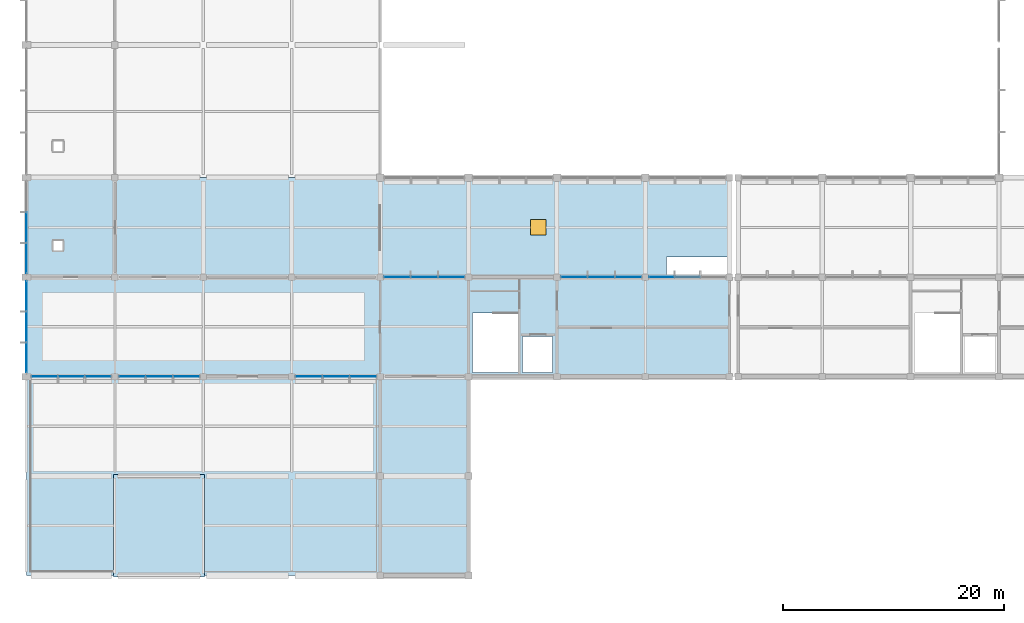
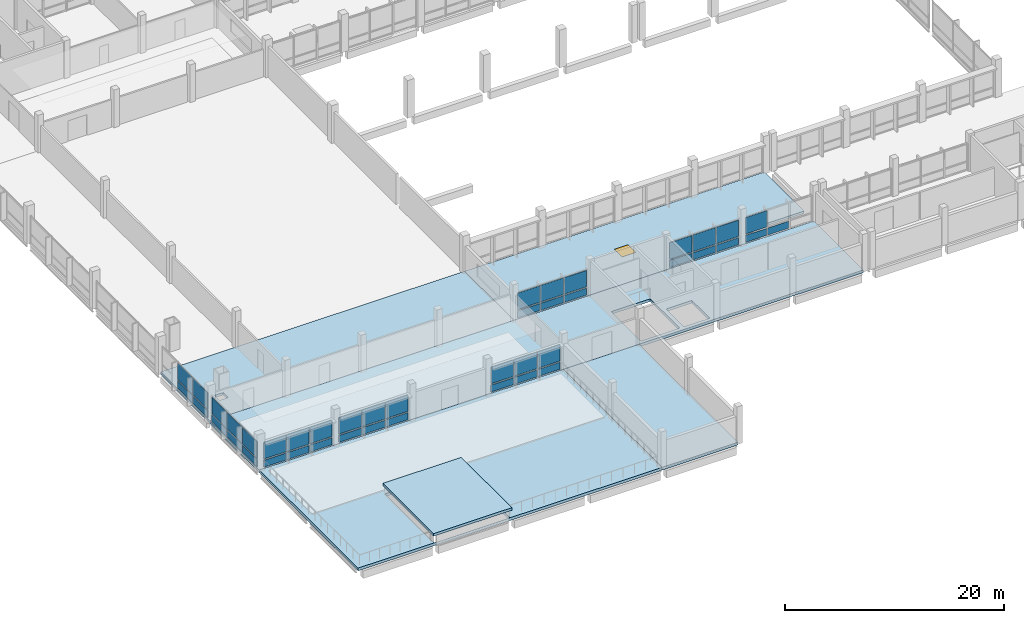
# One storey, part 43 of 70: 43 plates, 6 slabs, 1 window, 1 opening, 8 elements without a shape of their own.
"""IFC4 building model written with IfcOpenShell, lengths in metres."""

from ifc_helpers import new_model, si_unit, direction, frame, origin, origin_2d, place, context, subcontext, project, spatial, polyline, rectangle, outline, extrude, material, layer, layer_set, type_object, element, fill, aggregate, save


model = new_model("IFC4")

# Units and contexts
model_context = context("Model", 3, precision=1e-05, world=origin(), true_north=direction((0.0, 1.0)))
body_context = subcontext(model_context, "Body", "Model", "MODEL_VIEW")
ifc_project = project(units=[si_unit("LENGTHUNIT", "METRE"), si_unit("AREAUNIT", "SQUARE_METRE"), si_unit("VOLUMEUNIT", "CUBIC_METRE"), si_unit("PLANEANGLEUNIT", "RADIAN"), si_unit("MASSUNIT", "GRAM", prefix="KILO"), si_unit("THERMODYNAMICTEMPERATUREUNIT", "KELVIN"), si_unit("POWERUNIT", "WATT")], contexts=[model_context])

# Site, building, storey
site_placement = place(None, origin())
site = spatial("IfcSite", under=ifc_project, at=site_placement, CompositionType="ELEMENT")
building_placement = place(site_placement, origin())
building = spatial("IfcBuilding", under=site, at=building_placement, Name="Kronsvod Quay Wholesale Market", CompositionType="ELEMENT")
storey_placement = place(building_placement, frame((0.0, 0.0, 9.0)))
storey = spatial("IfcBuildingStorey", under=building, at=storey_placement, Name="L02", CompositionType="ELEMENT", Elevation=9.0)

# Curtain wall, plates
ifc_material_1 = material(Name="Thermally broken aluminium and triple low-E glazing", Category="aluminium")
curtain_wall_type_1 = type_object("IfcCurtainWallType", Name="CW_Harbour76x33", PredefinedType="NOTDEFINED", material=ifc_material_1)
curtain_wall_1_placement = place(storey_placement, origin())
curtain_wall_1 = element("IfcCurtainWall", 1, at=curtain_wall_1_placement, inside=storey, type_object=curtain_wall_type_1, Name="CWGX-L02-560-450", PredefinedType="NOTDEFINED")
ifc_material_2 = material(Name="Insulated aluminium spandrel panel", Category="aluminium")
ifc_layer_1 = layer(ifc_material_2, 0.048095703125)
ifc_layer_set_1 = layer_set([ifc_layer_1], Name="Insulated aluminium spandrel panel")
plate_type_1 = type_object("IfcPlateType", Name="CWPanel_SP2224x775", PredefinedType="CURTAIN_PANEL", material=ifc_layer_set_1)
plate_1_placement = place(storey_placement, frame((57.482177734375, 45.0, 0.150146484375), z_axis=(0.0, 0.0, 1.0), x_axis=(-1.0, 0.0, 0.0)))
plate_1 = element("IfcPlate", 2, at=plate_1_placement, type_object=plate_type_1, Name="CWGX-L02-560-450-PS3", PredefinedType="CURTAIN_PANEL", context=body_context, shape_type="SweptSolid", body=[
    extrude(rectangle(XDim=2.22412109375, YDim=0.048095703125, at=origin_2d()), origin(), (0.0, 0.0, 1.0), 0.77490234375),
])
ifc_material_3 = material(Name="Insulated aluminium spandrel panel", Category="aluminium")
ifc_layer_2 = layer(ifc_material_3, 0.048095703125)
ifc_layer_set_2 = layer_set([ifc_layer_2], Name="Insulated aluminium spandrel panel")
plate_type_2 = type_object("IfcPlateType", Name="CWPanel_SP2262x775", PredefinedType="CURTAIN_PANEL", material=ifc_layer_set_2)
plate_2_placement = place(storey_placement, frame((59.800048828125, 45.0, 0.150146484375), z_axis=(0.0, 0.0, 1.0), x_axis=(-1.0, 0.0, 0.0)))
plate_2 = element("IfcPlate", 3, at=plate_2_placement, type_object=plate_type_2, Name="CWGX-L02-560-450-PS2", PredefinedType="CURTAIN_PANEL", context=body_context, shape_type="SweptSolid", body=[
    extrude(rectangle(XDim=2.261962890625, YDim=0.048095703125, at=origin_2d()), origin(), (0.0, 0.0, 1.0), 0.77490234375),
])

ifc_material_4 = material(Name="Thermally broken aluminium and triple low-E glazing", Category="aluminium")
curtain_wall_type_2 = type_object("IfcCurtainWallType", Name="CW_Harbour80x33", PredefinedType="NOTDEFINED", material=ifc_material_4)
curtain_wall_2_placement = place(storey_placement, origin())
curtain_wall_2 = element("IfcCurtainWall", 4, at=curtain_wall_2_placement, inside=storey, type_object=curtain_wall_type_2, Name="CWGX-L02-0-360", PredefinedType="NOTDEFINED")
ifc_material_5 = material(Name="Insulated aluminium spandrel panel", Category="aluminium")
ifc_layer_3 = layer(ifc_material_5, 0.048095703125)
ifc_layer_set_3 = layer_set([ifc_layer_3], Name="Insulated aluminium spandrel panel")
plate_type_3 = type_object("IfcPlateType", Name="CWPanel_SP2324x775", PredefinedType="CURTAIN_PANEL", material=ifc_layer_set_3)
plate_3_placement = place(storey_placement, frame((1.632080078125, 36.0, 0.150146484375), z_axis=(0.0, 0.0, 1.0), x_axis=(1.0, 0.0, 0.0)))
plate_3 = element("IfcPlate", 5, at=plate_3_placement, type_object=plate_type_3, Name="CWGX-L02-0-360-PS1", PredefinedType="CURTAIN_PANEL", context=body_context, shape_type="SweptSolid", body=[
    extrude(rectangle(XDim=2.323974609375, YDim=0.048095703125, at=origin_2d()), origin(), (0.0, 0.0, 1.0), 0.77490234375),
])
plate_4_placement = place(storey_placement, frame((6.468017578125, 36.0, 0.150146484375), z_axis=(0.0, 0.0, 1.0), x_axis=(1.0, 0.0, 0.0)))
plate_4 = element("IfcPlate", 6, at=plate_4_placement, type_object=plate_type_3, Name="CWGX-L02-0-360-PS3", PredefinedType="CURTAIN_PANEL", context=body_context, shape_type="SweptSolid", body=[
    extrude(rectangle(XDim=2.323974609375, YDim=0.048095703125, at=origin_2d()), origin(), (0.0, 0.0, 1.0), 0.77490234375),
])

# Curtain wall, plate
curtain_wall_3_placement = place(storey_placement, origin())
curtain_wall_3 = element("IfcCurtainWall", 7, at=curtain_wall_3_placement, inside=storey, type_object=curtain_wall_type_2, Name="CWGX-L02-240-360", PredefinedType="NOTDEFINED")
ifc_material_6 = material(Name="Insulated aluminium spandrel panel", Category="aluminium")
ifc_layer_4 = layer(ifc_material_6, 0.048095703125)
ifc_layer_set_4 = layer_set([ifc_layer_4], Name="Insulated aluminium spandrel panel")
plate_type_4 = type_object("IfcPlateType", Name="CWPanel_SP2357x775", PredefinedType="CURTAIN_PANEL", material=ifc_layer_set_4)
plate_5_placement = place(storey_placement, frame((25.548828125, 36.0, 0.150146484375), z_axis=(0.0, 0.0, 1.0), x_axis=(1.0, 0.0, 0.0)))
plate_5 = element("IfcPlate", 8, at=plate_5_placement, type_object=plate_type_4, Name="CWGX-L02-240-360-PS1", PredefinedType="CURTAIN_PANEL", context=body_context, shape_type="SweptSolid", body=[
    extrude(rectangle(XDim=2.35693359375, YDim=0.048095703125, at=origin_2d()), origin(), (0.0, 0.0, 1.0), 0.77490234375),
])

curtain_wall_4_placement = place(storey_placement, origin())
curtain_wall_4 = element("IfcCurtainWall", 9, at=curtain_wall_4_placement, inside=storey, type_object=curtain_wall_type_2, Name="CWGX-L02-320-450", PredefinedType="NOTDEFINED")
plate_6_placement = place(storey_placement, frame((38.451171875, 45.0, 0.150146484375), z_axis=(0.0, 0.0, 1.0), x_axis=(-1.0, 0.0, 0.0)))
plate_6 = element("IfcPlate", 10, at=plate_6_placement, type_object=plate_type_4, Name="CWGX-L02-320-450-PS1", PredefinedType="CURTAIN_PANEL", context=body_context, shape_type="SweptSolid", body=[
    extrude(rectangle(XDim=2.35693359375, YDim=0.048095703125, at=origin_2d()), origin(), (0.0, 0.0, 1.0), 0.77490234375),
])

curtain_wall_5_placement = place(storey_placement, origin())
curtain_wall_5 = element("IfcCurtainWall", 11, at=curtain_wall_5_placement, inside=storey, type_object=curtain_wall_type_2, Name="CWGX-L02-480-450", PredefinedType="NOTDEFINED")
plate_7_placement = place(storey_placement, frame((54.451171875, 45.0, 0.150146484375), z_axis=(0.0, 0.0, 1.0), x_axis=(-1.0, 0.0, 0.0)))
plate_7 = element("IfcPlate", 12, at=plate_7_placement, type_object=plate_type_4, Name="CWGX-L02-480-450-PS1", PredefinedType="CURTAIN_PANEL", context=body_context, shape_type="SweptSolid", body=[
    extrude(rectangle(XDim=2.35693359375, YDim=0.048095703125, at=origin_2d()), origin(), (0.0, 0.0, 1.0), 0.77490234375),
])

# Curtain wall, plates
curtain_wall_6_placement = place(storey_placement, origin())
curtain_wall_6 = element("IfcCurtainWall", 13, at=curtain_wall_6_placement, inside=storey, type_object=curtain_wall_type_2, Name="CWGX-L02-80-360", PredefinedType="NOTDEFINED")
ifc_material_7 = material(Name="Insulated aluminium spandrel panel", Category="aluminium")
ifc_layer_5 = layer(ifc_material_7, 0.048095703125)
ifc_layer_set_5 = layer_set([ifc_layer_5], Name="Insulated aluminium spandrel panel")
plate_type_5 = type_object("IfcPlateType", Name="CWPanel_SP2358x775", PredefinedType="CURTAIN_PANEL", material=ifc_layer_set_5)
plate_8_placement = place(storey_placement, frame((9.548828125, 36.0, 0.150146484375), z_axis=(0.0, 0.0, 1.0), x_axis=(1.0, 0.0, 0.0)))
plate_8 = element("IfcPlate", 14, at=plate_8_placement, type_object=plate_type_5, Name="CWGX-L02-80-360-PS1", PredefinedType="CURTAIN_PANEL", context=body_context, shape_type="SweptSolid", body=[
    extrude(rectangle(XDim=2.35791015625, YDim=0.048095703125, at=origin_2d()), origin(), (0.0, 0.0, 1.0), 0.77490234375),
])
plate_9_placement = place(storey_placement, frame((14.451171875, 36.0, 0.150146484375), z_axis=(0.0, 0.0, 1.0), x_axis=(1.0, 0.0, 0.0)))
plate_9 = element("IfcPlate", 15, at=plate_9_placement, type_object=plate_type_5, Name="CWGX-L02-80-360-PS3", PredefinedType="CURTAIN_PANEL", context=body_context, shape_type="SweptSolid", body=[
    extrude(rectangle(XDim=2.35791015625, YDim=0.048095703125, at=origin_2d()), origin(), (0.0, 0.0, 1.0), 0.77490234375),
])

# Plate
plate_10_placement = place(storey_placement, frame((30.451171875, 36.0, 0.150146484375), z_axis=(0.0, 0.0, 1.0), x_axis=(1.0, 0.0, 0.0)))
plate_10 = element("IfcPlate", 16, at=plate_10_placement, type_object=plate_type_5, Name="CWGX-L02-240-360-PS3", PredefinedType="CURTAIN_PANEL", context=body_context, shape_type="SweptSolid", body=[
    extrude(rectangle(XDim=2.35791015625, YDim=0.048095703125, at=origin_2d()), origin(), (0.0, 0.0, 1.0), 0.77490234375),
])

plate_11_placement = place(storey_placement, frame((33.548828125, 45.0, 0.150146484375), z_axis=(0.0, 0.0, 1.0), x_axis=(-1.0, 0.0, 0.0)))
plate_11 = element("IfcPlate", 17, at=plate_11_placement, type_object=plate_type_5, Name="CWGX-L02-320-450-PS3", PredefinedType="CURTAIN_PANEL", context=body_context, shape_type="SweptSolid", body=[
    extrude(rectangle(XDim=2.35791015625, YDim=0.048095703125, at=origin_2d()), origin(), (0.0, 0.0, 1.0), 0.77490234375),
])

plate_12_placement = place(storey_placement, frame((49.548828125, 45.0, 0.150146484375), z_axis=(0.0, 0.0, 1.0), x_axis=(-1.0, 0.0, 0.0)))
plate_12 = element("IfcPlate", 18, at=plate_12_placement, type_object=plate_type_5, Name="CWGX-L02-480-450-PS3", PredefinedType="CURTAIN_PANEL", context=body_context, shape_type="SweptSolid", body=[
    extrude(rectangle(XDim=2.35791015625, YDim=0.048095703125, at=origin_2d()), origin(), (0.0, 0.0, 1.0), 0.77490234375),
])

ifc_material_8 = material(Name="Insulated aluminium spandrel panel", Category="aluminium")
ifc_layer_6 = layer(ifc_material_8, 0.048095703125)
ifc_layer_set_6 = layer_set([ifc_layer_6], Name="Insulated aluminium spandrel panel")
plate_type_6 = type_object("IfcPlateType", Name="CWPanel_SP2362x775", PredefinedType="CURTAIN_PANEL", material=ifc_layer_set_6)
plate_13_placement = place(storey_placement, frame((4.050048828125, 36.0, 0.150146484375), z_axis=(0.0, 0.0, 1.0), x_axis=(1.0, 0.0, 0.0)))
plate_13 = element("IfcPlate", 19, at=plate_13_placement, type_object=plate_type_6, Name="CWGX-L02-0-360-PS2", PredefinedType="CURTAIN_PANEL", context=body_context, shape_type="SweptSolid", body=[
    extrude(rectangle(XDim=2.362060546875, YDim=0.048095703125, at=origin_2d()), origin(), (0.0, 0.0, 1.0), 0.77490234375),
])

ifc_material_9 = material(Name="Insulated aluminium spandrel panel", Category="aluminium")
ifc_layer_7 = layer(ifc_material_9, 0.048095703125)
ifc_layer_set_7 = layer_set([ifc_layer_7], Name="Insulated aluminium spandrel panel")
plate_type_7 = type_object("IfcPlateType", Name="CWPanel_SP2395x775", PredefinedType="CURTAIN_PANEL", material=ifc_layer_set_7)
plate_14_placement = place(storey_placement, frame((12.0, 36.0, 0.150146484375), z_axis=(0.0, 0.0, 1.0), x_axis=(1.0, 0.0, 0.0)))
plate_14 = element("IfcPlate", 20, at=plate_14_placement, type_object=plate_type_7, Name="CWGX-L02-80-360-PS2", PredefinedType="CURTAIN_PANEL", context=body_context, shape_type="SweptSolid", body=[
    extrude(rectangle(XDim=2.39501953125, YDim=0.048095703125, at=origin_2d()), origin(), (0.0, 0.0, 1.0), 0.77490234375),
])

plate_15_placement = place(storey_placement, frame((28.0, 36.0, 0.150146484375), z_axis=(0.0, 0.0, 1.0), x_axis=(1.0, 0.0, 0.0)))
plate_15 = element("IfcPlate", 21, at=plate_15_placement, type_object=plate_type_7, Name="CWGX-L02-240-360-PS2", PredefinedType="CURTAIN_PANEL", context=body_context, shape_type="SweptSolid", body=[
    extrude(rectangle(XDim=2.39501953125, YDim=0.048095703125, at=origin_2d()), origin(), (0.0, 0.0, 1.0), 0.77490234375),
])

plate_16_placement = place(storey_placement, frame((36.0, 45.0, 0.150146484375), z_axis=(0.0, 0.0, 1.0), x_axis=(-1.0, 0.0, 0.0)))
plate_16 = element("IfcPlate", 22, at=plate_16_placement, type_object=plate_type_7, Name="CWGX-L02-320-450-PS2", PredefinedType="CURTAIN_PANEL", context=body_context, shape_type="SweptSolid", body=[
    extrude(rectangle(XDim=2.39501953125, YDim=0.048095703125, at=origin_2d()), origin(), (0.0, 0.0, 1.0), 0.77490234375),
])

plate_17_placement = place(storey_placement, frame((52.0, 45.0, 0.150146484375), z_axis=(0.0, 0.0, 1.0), x_axis=(-1.0, 0.0, 0.0)))
plate_17 = element("IfcPlate", 23, at=plate_17_placement, type_object=plate_type_7, Name="CWGX-L02-480-450-PS2", PredefinedType="CURTAIN_PANEL", context=body_context, shape_type="SweptSolid", body=[
    extrude(rectangle(XDim=2.39501953125, YDim=0.048095703125, at=origin_2d()), origin(), (0.0, 0.0, 1.0), 0.77490234375),
])

# Curtain wall, plates
ifc_material_10 = material(Name="Thermally broken aluminium and triple low-E glazing", Category="aluminium")
curtain_wall_type_3 = type_object("IfcCurtainWallType", Name="CW_Wing90x33", PredefinedType="NOTDEFINED", material=ifc_material_10)
curtain_wall_7_placement = place(storey_placement, origin())
curtain_wall_7 = element("IfcCurtainWall", 24, at=curtain_wall_7_placement, inside=storey, type_object=curtain_wall_type_3, Name="CWGY-L02-0-360", PredefinedType="NOTDEFINED")
ifc_material_11 = material(Name="Insulated aluminium spandrel panel", Category="aluminium")
ifc_layer_8 = layer(ifc_material_11, 0.048095703125)
ifc_layer_set_8 = layer_set([ifc_layer_8], Name="Insulated aluminium spandrel panel")
plate_type_8 = type_object("IfcPlateType", Name="CWPanel_SP2691x775", PredefinedType="CURTAIN_PANEL", material=ifc_layer_set_8)
plate_18_placement = place(storey_placement, frame((0.0, 43.28466796875, 0.150146484375), z_axis=(0.0, 0.0, 1.0), x_axis=(0.0, -1.0, 0.0)))
plate_18 = element("IfcPlate", 25, at=plate_18_placement, type_object=plate_type_8, Name="CWGY-L02-0-360-PS1", PredefinedType="CURTAIN_PANEL", context=body_context, shape_type="SweptSolid", body=[
    extrude(rectangle(XDim=2.69091796875, YDim=0.048095703125, at=origin_2d()), origin(), (0.0, 0.0, 1.0), 0.77490234375),
])
plate_19_placement = place(storey_placement, frame((0.0, 37.71533203125, 0.150146484375), z_axis=(0.0, 0.0, 1.0), x_axis=(0.0, -1.0, 0.0)))
plate_19 = element("IfcPlate", 26, at=plate_19_placement, type_object=plate_type_8, Name="CWGY-L02-0-360-PS3", PredefinedType="CURTAIN_PANEL", context=body_context, shape_type="SweptSolid", body=[
    extrude(rectangle(XDim=2.69091796875, YDim=0.048095703125, at=origin_2d()), origin(), (0.0, 0.0, 1.0), 0.77490234375),
])

# Curtain wall, plate
curtain_wall_8_placement = place(storey_placement, origin())
curtain_wall_8 = element("IfcCurtainWall", 27, at=curtain_wall_8_placement, inside=storey, type_object=curtain_wall_type_3, Name="CWGY-L02-0-450", PredefinedType="NOTDEFINED")
plate_20_placement = place(storey_placement, frame((0.0, 46.71533203125, 0.150146484375), z_axis=(0.0, 0.0, 1.0), x_axis=(0.0, -1.0, 0.0)))
plate_20 = element("IfcPlate", 28, at=plate_20_placement, type_object=plate_type_8, Name="CWGY-L02-0-450-PS3", PredefinedType="CURTAIN_PANEL", context=body_context, shape_type="SweptSolid", body=[
    extrude(rectangle(XDim=2.69091796875, YDim=0.048095703125, at=origin_2d()), origin(), (0.0, 0.0, 1.0), 0.77490234375),
])

# Plate
ifc_material_12 = material(Name="Insulated aluminium spandrel panel", Category="aluminium")
ifc_layer_9 = layer(ifc_material_12, 0.048095703125)
ifc_layer_set_9 = layer_set([ifc_layer_9], Name="Insulated aluminium spandrel panel")
plate_type_9 = type_object("IfcPlateType", Name="CWPanel_SP2728x775", PredefinedType="CURTAIN_PANEL", material=ifc_layer_set_9)
plate_21_placement = place(storey_placement, frame((0.0, 40.5, 0.150146484375), z_axis=(0.0, 0.0, 1.0), x_axis=(0.0, -1.0, 0.0)))
plate_21 = element("IfcPlate", 29, at=plate_21_placement, type_object=plate_type_9, Name="CWGY-L02-0-360-PS2", PredefinedType="CURTAIN_PANEL", context=body_context, shape_type="SweptSolid", body=[
    extrude(rectangle(XDim=2.72802734375, YDim=0.048095703125, at=origin_2d()), origin(), (0.0, 0.0, 1.0), 0.77490234375),
])

plate_22_placement = place(storey_placement, frame((0.0, 49.5, 0.150146484375), z_axis=(0.0, 0.0, 1.0), x_axis=(0.0, -1.0, 0.0)))
plate_22 = element("IfcPlate", 30, at=plate_22_placement, type_object=plate_type_9, Name="CWGY-L02-0-450-PS2", PredefinedType="CURTAIN_PANEL", context=body_context, shape_type="SweptSolid", body=[
    extrude(rectangle(XDim=2.72802734375, YDim=0.048095703125, at=origin_2d()), origin(), (0.0, 0.0, 1.0), 0.77490234375),
])

ifc_material_13 = material(Name="Triple low-E insulated glazing", Category="glass")
ifc_layer_10 = layer(ifc_material_13, 0.0439453125)
ifc_layer_set_10 = layer_set([ifc_layer_10], Name="Triple low-E insulated glazing")
plate_type_10 = type_object("IfcPlateType", Name="CWPanel_VS2224x1825", PredefinedType="CURTAIN_PANEL", material=ifc_layer_set_10)
plate_23_placement = place(storey_placement, frame((57.482177734375, 45.0, 1.0751953125), z_axis=(0.0, 0.0, 1.0), x_axis=(-1.0, 0.0, 0.0)))
plate_23 = element("IfcPlate", 31, at=plate_23_placement, type_object=plate_type_10, Name="CWGX-L02-560-450-PV3", PredefinedType="CURTAIN_PANEL", context=body_context, shape_type="SweptSolid", body=[
    extrude(rectangle(XDim=2.22412109375, YDim=0.0439453125, at=origin_2d()), origin(), (0.0, 0.0, 1.0), 1.824951171875),
])

aggregate(curtain_wall_1, [plate_2, plate_1, plate_23])

ifc_material_14 = material(Name="Triple low-E insulated glazing", Category="glass")
ifc_layer_11 = layer(ifc_material_14, 0.0439453125)
ifc_layer_set_11 = layer_set([ifc_layer_11], Name="Triple low-E insulated glazing")
plate_type_11 = type_object("IfcPlateType", Name="CWPanel_VS2324x1825", PredefinedType="CURTAIN_PANEL", material=ifc_layer_set_11)
plate_24_placement = place(storey_placement, frame((1.632080078125, 36.0, 1.0751953125), z_axis=(0.0, 0.0, 1.0), x_axis=(1.0, 0.0, 0.0)))
plate_24 = element("IfcPlate", 32, at=plate_24_placement, type_object=plate_type_11, Name="CWGX-L02-0-360-PV1", PredefinedType="CURTAIN_PANEL", context=body_context, shape_type="SweptSolid", body=[
    extrude(rectangle(XDim=2.323974609375, YDim=0.0439453125, at=origin_2d()), origin(), (0.0, 0.0, 1.0), 1.824951171875),
])

plate_25_placement = place(storey_placement, frame((6.468017578125, 36.0, 1.0751953125), z_axis=(0.0, 0.0, 1.0), x_axis=(1.0, 0.0, 0.0)))
plate_25 = element("IfcPlate", 33, at=plate_25_placement, type_object=plate_type_11, Name="CWGX-L02-0-360-PV3", PredefinedType="CURTAIN_PANEL", context=body_context, shape_type="SweptSolid", body=[
    extrude(rectangle(XDim=2.323974609375, YDim=0.0439453125, at=origin_2d()), origin(), (0.0, 0.0, 1.0), 1.824951171875),
])

ifc_material_15 = material(Name="Triple low-E insulated glazing", Category="glass")
ifc_layer_12 = layer(ifc_material_15, 0.0439453125)
ifc_layer_set_12 = layer_set([ifc_layer_12], Name="Triple low-E insulated glazing")
plate_type_12 = type_object("IfcPlateType", Name="CWPanel_VS2357x1825", PredefinedType="CURTAIN_PANEL", material=ifc_layer_set_12)
plate_26_placement = place(storey_placement, frame((25.548828125, 36.0, 1.0751953125), z_axis=(0.0, 0.0, 1.0), x_axis=(1.0, 0.0, 0.0)))
plate_26 = element("IfcPlate", 34, at=plate_26_placement, type_object=plate_type_12, Name="CWGX-L02-240-360-PV1", PredefinedType="CURTAIN_PANEL", context=body_context, shape_type="SweptSolid", body=[
    extrude(rectangle(XDim=2.35693359375, YDim=0.0439453125, at=origin_2d()), origin(), (0.0, 0.0, 1.0), 1.824951171875),
])

plate_27_placement = place(storey_placement, frame((38.451171875, 45.0, 1.0751953125), z_axis=(0.0, 0.0, 1.0), x_axis=(-1.0, 0.0, 0.0)))
plate_27 = element("IfcPlate", 35, at=plate_27_placement, type_object=plate_type_12, Name="CWGX-L02-320-450-PV1", PredefinedType="CURTAIN_PANEL", context=body_context, shape_type="SweptSolid", body=[
    extrude(rectangle(XDim=2.35693359375, YDim=0.0439453125, at=origin_2d()), origin(), (0.0, 0.0, 1.0), 1.824951171875),
])

plate_28_placement = place(storey_placement, frame((54.451171875, 45.0, 1.0751953125), z_axis=(0.0, 0.0, 1.0), x_axis=(-1.0, 0.0, 0.0)))
plate_28 = element("IfcPlate", 36, at=plate_28_placement, type_object=plate_type_12, Name="CWGX-L02-480-450-PV1", PredefinedType="CURTAIN_PANEL", context=body_context, shape_type="SweptSolid", body=[
    extrude(rectangle(XDim=2.35693359375, YDim=0.0439453125, at=origin_2d()), origin(), (0.0, 0.0, 1.0), 1.824951171875),
])

ifc_material_16 = material(Name="Triple low-E insulated glazing", Category="glass")
ifc_layer_13 = layer(ifc_material_16, 0.0439453125)
ifc_layer_set_13 = layer_set([ifc_layer_13], Name="Triple low-E insulated glazing")
plate_type_13 = type_object("IfcPlateType", Name="CWPanel_VS2358x1825", PredefinedType="CURTAIN_PANEL", material=ifc_layer_set_13)
plate_29_placement = place(storey_placement, frame((9.548828125, 36.0, 1.0751953125), z_axis=(0.0, 0.0, 1.0), x_axis=(1.0, 0.0, 0.0)))
plate_29 = element("IfcPlate", 37, at=plate_29_placement, type_object=plate_type_13, Name="CWGX-L02-80-360-PV1", PredefinedType="CURTAIN_PANEL", context=body_context, shape_type="SweptSolid", body=[
    extrude(rectangle(XDim=2.35791015625, YDim=0.0439453125, at=origin_2d()), origin(), (0.0, 0.0, 1.0), 1.824951171875),
])

plate_30_placement = place(storey_placement, frame((14.451171875, 36.0, 1.0751953125), z_axis=(0.0, 0.0, 1.0), x_axis=(1.0, 0.0, 0.0)))
plate_30 = element("IfcPlate", 38, at=plate_30_placement, type_object=plate_type_13, Name="CWGX-L02-80-360-PV3", PredefinedType="CURTAIN_PANEL", context=body_context, shape_type="SweptSolid", body=[
    extrude(rectangle(XDim=2.35791015625, YDim=0.0439453125, at=origin_2d()), origin(), (0.0, 0.0, 1.0), 1.824951171875),
])

plate_31_placement = place(storey_placement, frame((30.451171875, 36.0, 1.0751953125), z_axis=(0.0, 0.0, 1.0), x_axis=(1.0, 0.0, 0.0)))
plate_31 = element("IfcPlate", 39, at=plate_31_placement, type_object=plate_type_13, Name="CWGX-L02-240-360-PV3", PredefinedType="CURTAIN_PANEL", context=body_context, shape_type="SweptSolid", body=[
    extrude(rectangle(XDim=2.35791015625, YDim=0.0439453125, at=origin_2d()), origin(), (0.0, 0.0, 1.0), 1.824951171875),
])

plate_32_placement = place(storey_placement, frame((33.548828125, 45.0, 1.0751953125), z_axis=(0.0, 0.0, 1.0), x_axis=(-1.0, 0.0, 0.0)))
plate_32 = element("IfcPlate", 40, at=plate_32_placement, type_object=plate_type_13, Name="CWGX-L02-320-450-PV3", PredefinedType="CURTAIN_PANEL", context=body_context, shape_type="SweptSolid", body=[
    extrude(rectangle(XDim=2.35791015625, YDim=0.0439453125, at=origin_2d()), origin(), (0.0, 0.0, 1.0), 1.824951171875),
])

plate_33_placement = place(storey_placement, frame((49.548828125, 45.0, 1.0751953125), z_axis=(0.0, 0.0, 1.0), x_axis=(-1.0, 0.0, 0.0)))
plate_33 = element("IfcPlate", 41, at=plate_33_placement, type_object=plate_type_13, Name="CWGX-L02-480-450-PV3", PredefinedType="CURTAIN_PANEL", context=body_context, shape_type="SweptSolid", body=[
    extrude(rectangle(XDim=2.35791015625, YDim=0.0439453125, at=origin_2d()), origin(), (0.0, 0.0, 1.0), 1.824951171875),
])

ifc_material_17 = material(Name="Triple low-E insulated glazing", Category="glass")
ifc_layer_14 = layer(ifc_material_17, 0.0439453125)
ifc_layer_set_14 = layer_set([ifc_layer_14], Name="Triple low-E insulated glazing")
plate_type_14 = type_object("IfcPlateType", Name="CWPanel_VS2362x1825", PredefinedType="CURTAIN_PANEL", material=ifc_layer_set_14)
plate_34_placement = place(storey_placement, frame((4.050048828125, 36.0, 1.0751953125), z_axis=(0.0, 0.0, 1.0), x_axis=(1.0, 0.0, 0.0)))
plate_34 = element("IfcPlate", 42, at=plate_34_placement, type_object=plate_type_14, Name="CWGX-L02-0-360-PV2", PredefinedType="CURTAIN_PANEL", context=body_context, shape_type="SweptSolid", body=[
    extrude(rectangle(XDim=2.362060546875, YDim=0.0439453125, at=origin_2d()), origin(), (0.0, 0.0, 1.0), 1.824951171875),
])

aggregate(curtain_wall_2, [plate_3, plate_24, plate_13, plate_34, plate_4, plate_25])

ifc_material_18 = material(Name="Triple low-E insulated glazing", Category="glass")
ifc_layer_15 = layer(ifc_material_18, 0.0439453125)
ifc_layer_set_15 = layer_set([ifc_layer_15], Name="Triple low-E insulated glazing")
plate_type_15 = type_object("IfcPlateType", Name="CWPanel_VS2395x1825", PredefinedType="CURTAIN_PANEL", material=ifc_layer_set_15)
plate_35_placement = place(storey_placement, frame((12.0, 36.0, 1.0751953125), z_axis=(0.0, 0.0, 1.0), x_axis=(1.0, 0.0, 0.0)))
plate_35 = element("IfcPlate", 43, at=plate_35_placement, type_object=plate_type_15, Name="CWGX-L02-80-360-PV2", PredefinedType="CURTAIN_PANEL", context=body_context, shape_type="SweptSolid", body=[
    extrude(rectangle(XDim=2.39501953125, YDim=0.0439453125, at=origin_2d()), origin(), (0.0, 0.0, 1.0), 1.824951171875),
])

aggregate(curtain_wall_6, [plate_8, plate_29, plate_14, plate_35, plate_9, plate_30])

plate_36_placement = place(storey_placement, frame((28.0, 36.0, 1.0751953125), z_axis=(0.0, 0.0, 1.0), x_axis=(1.0, 0.0, 0.0)))
plate_36 = element("IfcPlate", 44, at=plate_36_placement, type_object=plate_type_15, Name="CWGX-L02-240-360-PV2", PredefinedType="CURTAIN_PANEL", context=body_context, shape_type="SweptSolid", body=[
    extrude(rectangle(XDim=2.39501953125, YDim=0.0439453125, at=origin_2d()), origin(), (0.0, 0.0, 1.0), 1.824951171875),
])

aggregate(curtain_wall_3, [plate_5, plate_26, plate_15, plate_36, plate_10, plate_31])

plate_37_placement = place(storey_placement, frame((36.0, 45.0, 1.0751953125), z_axis=(0.0, 0.0, 1.0), x_axis=(-1.0, 0.0, 0.0)))
plate_37 = element("IfcPlate", 45, at=plate_37_placement, type_object=plate_type_15, Name="CWGX-L02-320-450-PV2", PredefinedType="CURTAIN_PANEL", context=body_context, shape_type="SweptSolid", body=[
    extrude(rectangle(XDim=2.39501953125, YDim=0.0439453125, at=origin_2d()), origin(), (0.0, 0.0, 1.0), 1.824951171875),
])

aggregate(curtain_wall_4, [plate_6, plate_27, plate_16, plate_37, plate_11, plate_32])

plate_38_placement = place(storey_placement, frame((52.0, 45.0, 1.0751953125), z_axis=(0.0, 0.0, 1.0), x_axis=(-1.0, 0.0, 0.0)))
plate_38 = element("IfcPlate", 46, at=plate_38_placement, type_object=plate_type_15, Name="CWGX-L02-480-450-PV2", PredefinedType="CURTAIN_PANEL", context=body_context, shape_type="SweptSolid", body=[
    extrude(rectangle(XDim=2.39501953125, YDim=0.0439453125, at=origin_2d()), origin(), (0.0, 0.0, 1.0), 1.824951171875),
])

aggregate(curtain_wall_5, [plate_7, plate_28, plate_17, plate_38, plate_12, plate_33])

ifc_material_19 = material(Name="Triple low-E insulated glazing", Category="glass")
ifc_layer_16 = layer(ifc_material_19, 0.0439453125)
ifc_layer_set_16 = layer_set([ifc_layer_16], Name="Triple low-E insulated glazing")
plate_type_16 = type_object("IfcPlateType", Name="CWPanel_VS2691x1825", PredefinedType="CURTAIN_PANEL", material=ifc_layer_set_16)
plate_39_placement = place(storey_placement, frame((0.0, 43.28466796875, 1.0751953125), z_axis=(0.0, 0.0, 1.0), x_axis=(0.0, -1.0, 0.0)))
plate_39 = element("IfcPlate", 47, at=plate_39_placement, type_object=plate_type_16, Name="CWGY-L02-0-360-PV1", PredefinedType="CURTAIN_PANEL", context=body_context, shape_type="SweptSolid", body=[
    extrude(rectangle(XDim=2.69091796875, YDim=0.0439453125, at=origin_2d()), origin(), (0.0, 0.0, 1.0), 1.824951171875),
])

plate_40_placement = place(storey_placement, frame((0.0, 37.71533203125, 1.0751953125), z_axis=(0.0, 0.0, 1.0), x_axis=(0.0, -1.0, 0.0)))
plate_40 = element("IfcPlate", 48, at=plate_40_placement, type_object=plate_type_16, Name="CWGY-L02-0-360-PV3", PredefinedType="CURTAIN_PANEL", context=body_context, shape_type="SweptSolid", body=[
    extrude(rectangle(XDim=2.69091796875, YDim=0.0439453125, at=origin_2d()), origin(), (0.0, 0.0, 1.0), 1.824951171875),
])

plate_41_placement = place(storey_placement, frame((0.0, 46.71533203125, 1.0751953125), z_axis=(0.0, 0.0, 1.0), x_axis=(0.0, -1.0, 0.0)))
plate_41 = element("IfcPlate", 49, at=plate_41_placement, type_object=plate_type_16, Name="CWGY-L02-0-450-PV3", PredefinedType="CURTAIN_PANEL", context=body_context, shape_type="SweptSolid", body=[
    extrude(rectangle(XDim=2.69091796875, YDim=0.0439453125, at=origin_2d()), origin(), (0.0, 0.0, 1.0), 1.824951171875),
])

ifc_material_20 = material(Name="Triple low-E insulated glazing", Category="glass")
ifc_layer_17 = layer(ifc_material_20, 0.0439453125)
ifc_layer_set_17 = layer_set([ifc_layer_17], Name="Triple low-E insulated glazing")
plate_type_17 = type_object("IfcPlateType", Name="CWPanel_VS2728x1825", PredefinedType="CURTAIN_PANEL", material=ifc_layer_set_17)
plate_42_placement = place(storey_placement, frame((0.0, 40.5, 1.0751953125), z_axis=(0.0, 0.0, 1.0), x_axis=(0.0, -1.0, 0.0)))
plate_42 = element("IfcPlate", 50, at=plate_42_placement, type_object=plate_type_17, Name="CWGY-L02-0-360-PV2", PredefinedType="CURTAIN_PANEL", context=body_context, shape_type="SweptSolid", body=[
    extrude(rectangle(XDim=2.72802734375, YDim=0.0439453125, at=origin_2d()), origin(), (0.0, 0.0, 1.0), 1.824951171875),
])

aggregate(curtain_wall_7, [plate_18, plate_39, plate_21, plate_42, plate_19, plate_40])

plate_43_placement = place(storey_placement, frame((0.0, 49.5, 1.0751953125), z_axis=(0.0, 0.0, 1.0), x_axis=(0.0, -1.0, 0.0)))
plate_43 = element("IfcPlate", 51, at=plate_43_placement, type_object=plate_type_17, Name="CWGY-L02-0-450-PV2", PredefinedType="CURTAIN_PANEL", context=body_context, shape_type="SweptSolid", body=[
    extrude(rectangle(XDim=2.72802734375, YDim=0.0439453125, at=origin_2d()), origin(), (0.0, 0.0, 1.0), 1.824951171875),
])

aggregate(curtain_wall_8, [plate_22, plate_43, plate_20, plate_41])

# Slab, opening, window
ifc_material_21 = material(Name="Precast concrete C40/50", Category="concrete")
ifc_layer_18 = layer(ifc_material_21, 0.260009765625)
ifc_layer_set_18 = layer_set([ifc_layer_18], Name="Precast concrete C40/50")
slab_type_1 = type_object("IfcSlabType", Name="Slab_FlatRoof260", PredefinedType="ROOF", material=ifc_layer_set_18)
slab_1_placement = place(storey_placement, frame((0.0, 0.0, -0.260009765625)))
slab_1 = element("IfcSlab", 52, at=slab_1_placement, inside=storey, type_object=slab_type_1, Name="SLB-L02-105", PredefinedType="ROOF", context=body_context, shape_type="SweptSolid", body=[
    extrude(outline(polyline([(32.0, 45.0), (57.89990234375, 45.0), (57.89990234375, 46.800048828125), (63.580078125, 46.800048828125), (63.580078125, 54.0), (32.0, 54.0), (32.0, 45.0)])), origin(), (0.0, 0.0, 1.0), 0.260009765625),
])
opening_placement = place(slab_1_placement, frame((46.2900390625, 49.5, 0.0)))
opening = element("IfcOpeningElement", 53, at=opening_placement, cuts=slab_1, Name="Opening SKY-01", PredefinedType="OPENING", context=body_context, shape_type="SweptSolid", body=[
    extrude(rectangle(XDim=1.39990234375, YDim=1.39990234375, at=origin_2d()), frame((0.0, 0.0, -0.010009765625)), (0.0, 0.0, 1.0), 0.280029296875),
])
ifc_material_22 = material(Name="Thermally broken aluminium and triple low-E glazing", Category="aluminium")
window_type = type_object("IfcWindowType", Name="Skylight_Hatch140x140", PartitioningType="SINGLE_PANEL", PredefinedType="SKYLIGHT", material=ifc_material_22)
window_placement = place(opening_placement, frame((0.0, 0.0, 0.2099609375)))
window = element("IfcWindow", 54, at=window_placement, inside=storey, type_object=window_type, Name="SKY-01", OverallHeight=1.39990234375, OverallWidth=1.39990234375, PartitioningType="SINGLE_PANEL", PredefinedType="SKYLIGHT", context=body_context, shape_type="SweptSolid", body=[
    extrude(rectangle(XDim=1.39990234375, YDim=1.39990234375, at=origin_2d()), origin(), (0.0, 0.0, 1.0), 0.050048828125),
])
fill(opening, window)

# Slabs
ifc_material_23 = material(Name="Concrete C35/45", Category="concrete")
ifc_layer_19 = layer(ifc_material_23, 0.27001953125)
ifc_layer_set_19 = layer_set([ifc_layer_19], Name="Concrete C35/45")
slab_type_2 = type_object("IfcSlabType", Name="Slab_Floor270", PredefinedType="FLOOR", material=ifc_layer_set_19)
slab_2_placement = place(storey_placement, frame((0.0, 0.0, -0.27001953125)))
element("IfcSlab", 55, at=slab_2_placement, inside=storey, type_object=slab_type_2, Name="SLB-L02-104", PredefinedType="FLOOR", context=body_context, shape_type="SweptSolid", body=[
    extrude(outline(polyline([(0.0, 45.0), (32.0, 45.0), (32.0, 54.0), (0.0, 54.0), (0.0, 45.0)]), holes=[polyline([(2.39990234375, 47.39990234375), (3.300048828125, 47.39990234375), (3.300048828125, 48.300048828125), (2.39990234375, 48.300048828125), (2.39990234375, 47.39990234375)])]), origin(), (0.0, 0.0, 1.0), 0.27001953125),
])
ifc_material_24 = material(Name="Concrete C35/45", Category="concrete")
ifc_layer_20 = layer(ifc_material_24, 0.300048828125)
ifc_layer_set_20 = layer_set([ifc_layer_20], Name="Concrete C35/45")
slab_type_3 = type_object("IfcSlabType", Name="Slab_FloorCold300", PredefinedType="FLOOR", material=ifc_layer_set_20)
slab_3_placement = place(storey_placement, frame((0.0, 0.0, -0.300048828125)))
element("IfcSlab", 56, at=slab_3_placement, inside=storey, type_object=slab_type_3, Name="SLB-L02-102", PredefinedType="FLOOR", context=body_context, shape_type="SweptSolid", body=[
    extrude(outline(polyline([(32.0, 18.0), (40.0, 18.0), (40.0, 36.0), (32.0, 36.0), (32.0, 18.0)])), origin(), (0.0, 0.0, 1.0), 0.300048828125),
])
slab_4_placement = place(storey_placement, frame((0.0, 0.0, -0.300048828125)))
element("IfcSlab", 57, at=slab_4_placement, inside=storey, type_object=slab_type_3, Name="SLB-L02-103", PredefinedType="FLOOR", context=body_context, shape_type="SweptSolid", body=[
    extrude(outline(polyline([(0.0, 36.0), (63.580078125, 36.0), (63.580078125, 45.0), (0.0, 45.0), (0.0, 36.0)]), holes=[polyline([(40.3798828125, 36.3798828125), (44.4599609375, 36.3798828125), (44.4599609375, 41.75), (40.3798828125, 41.75), (40.3798828125, 36.3798828125)]), polyline([(44.89990234375, 36.3798828125), (47.6201171875, 36.3798828125), (47.6201171875, 39.6201171875), (44.89990234375, 39.6201171875), (44.89990234375, 36.3798828125)])]), origin(), (0.0, 0.0, 1.0), 0.300048828125),
])
ifc_material_25 = material(Name="Concrete C35/45", Category="concrete")
ifc_layer_21 = layer(ifc_material_25, 0.31005859375)
ifc_layer_set_21 = layer_set([ifc_layer_21], Name="Concrete C35/45")
slab_type_4 = type_object("IfcSlabType", Name="Slab_GardenDeck310", PredefinedType="FLOOR", material=ifc_layer_set_21)
slab_5_placement = place(storey_placement, frame((0.0, 0.0, -0.31005859375)))
element("IfcSlab", 58, at=slab_5_placement, inside=storey, type_object=slab_type_4, Name="SLB-L02-101", PredefinedType="FLOOR", context=body_context, shape_type="SweptSolid", body=[
    extrude(outline(polyline([(0.0, 18.0), (32.0, 18.0), (32.0, 36.0), (0.0, 36.0), (0.0, 18.0)]), holes=[polyline([(8.02001953125, 18.02001953125), (15.97998046875, 18.02001953125), (15.97998046875, 26.97998046875), (8.02001953125, 26.97998046875), (8.02001953125, 18.02001953125)])]), origin(), (0.0, 0.0, 1.0), 0.31005859375),
])
ifc_material_26 = material(Name="Concrete C35/45", Category="concrete")
ifc_layer_22 = layer(ifc_material_26, 0.284912109375)
ifc_layer_set_22 = layer_set([ifc_layer_22], Name="Concrete C35/45")
slab_type_5 = type_object("IfcSlabType", Name="Slab_OverrunRoof285", PredefinedType="ROOF", material=ifc_layer_set_22)
slab_6_placement = place(storey_placement, frame((0.0, 0.0, 0.864990234375)))
element("IfcSlab", 59, at=slab_6_placement, inside=storey, type_object=slab_type_5, Name="SLB-OR-C01", PredefinedType="ROOF", context=body_context, shape_type="SweptSolid", body=[
    extrude(outline(polyline([(7.8798828125, 17.8798828125), (16.1201171875, 17.8798828125), (16.1201171875, 27.1201171875), (7.8798828125, 27.1201171875), (7.8798828125, 17.8798828125)])), origin(), (0.0, 0.0, 1.0), 0.284912109375),
])

save(model, "model.ifc")
